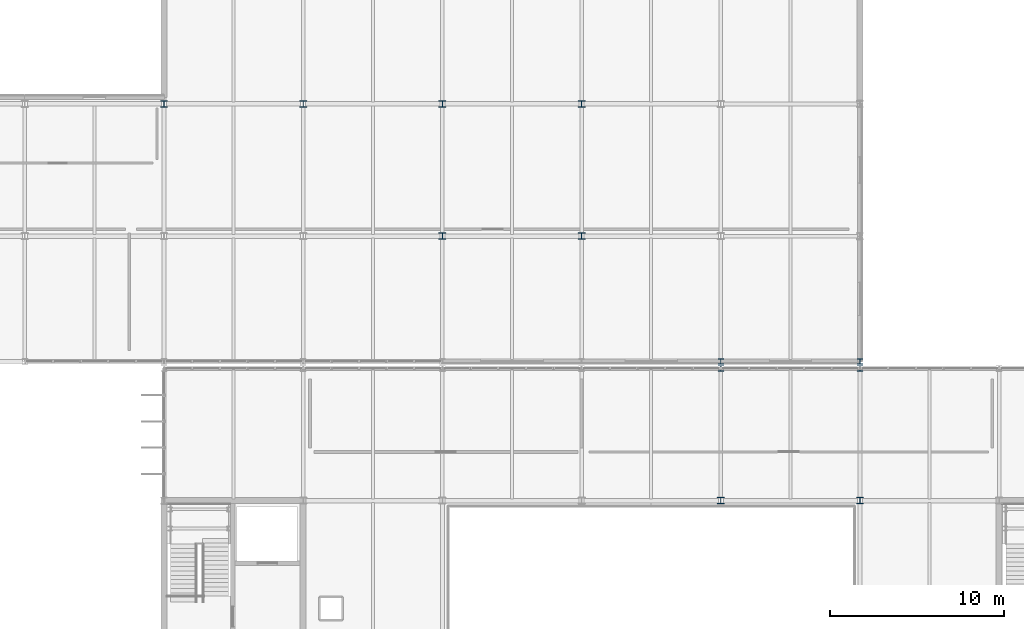
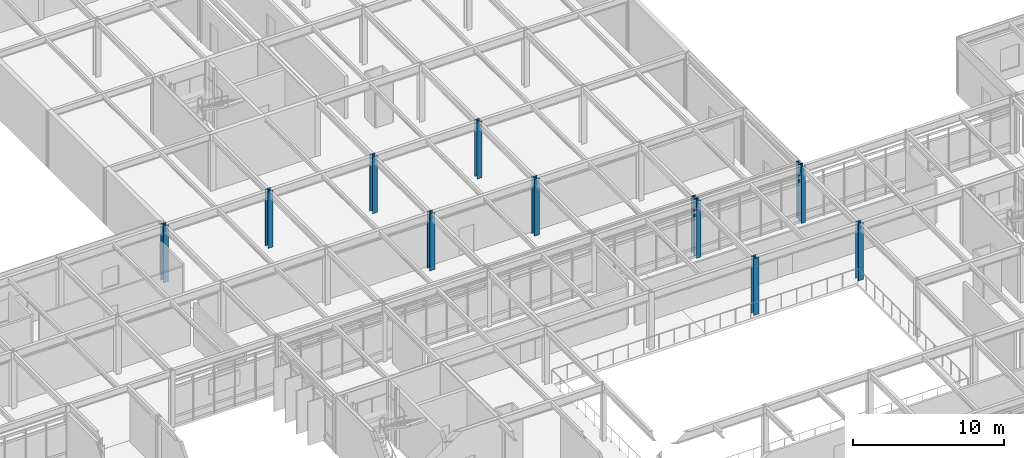
# One storey, part 12 of 104: 12 columns.
"""IFC4 building model written with IfcOpenShell, lengths in metres."""

from ifc_helpers import new_model, si_unit, direction, frame, origin, origin_2d, place, context, subcontext, project, spatial, i_section, extrude, material, material_profile, profile_set, type_object, element, save


model = new_model("IFC4")

# Units and contexts
model_context = context("Model", 3, precision=1e-05, world=origin(), true_north=direction((0.0, 1.0)))
body_context = subcontext(model_context, "Body", "Model", "MODEL_VIEW")
ifc_project = project(units=[si_unit("LENGTHUNIT", "METRE"), si_unit("AREAUNIT", "SQUARE_METRE"), si_unit("VOLUMEUNIT", "CUBIC_METRE"), si_unit("PLANEANGLEUNIT", "RADIAN"), si_unit("MASSUNIT", "GRAM", prefix="KILO")], contexts=[model_context])

# Site, building, storey
site_placement = place(None, origin())
site = spatial("IfcSite", under=ifc_project, at=site_placement, CompositionType="ELEMENT")
building_placement = place(site_placement, origin())
building = spatial("IfcBuilding", under=site, at=building_placement, Name="Zulena Civic Courthouse", CompositionType="ELEMENT")
storey_placement = place(building_placement, frame((0.0, 0.0, 10.800048828125)))
storey = spatial("IfcBuildingStorey", under=building, at=storey_placement, Name="L02", CompositionType="ELEMENT", Elevation=10.800048828125)

# Columns
ifc_material = material(Name="Steel ASTM A992 Grade 50", Category="steel")
ifc_material_profile_1 = material_profile(ifc_material, i_section(OverallWidth=0.31298828125, OverallDepth=0.3330078125, WebThickness=0.01806640625, FlangeThickness=0.0283203125, FilletRadius=0.01513671875, at=origin_2d()), Name="W12X120")
ifc_profile_set_1 = profile_set([ifc_material_profile_1], Name="Steel ASTM A992 Grade 50")
column_type_1 = type_object("IfcColumnType", Name="Col_W12X120", PredefinedType="COLUMN", material=ifc_profile_set_1)
for number, where, z_axis, x_axis, name in (
    (1, (100.0, 45.60009765625, 0.0), (0.0, 0.0, 1.0), (1.0, 0.0, 0.0), "col:V4:L02:100.0:45.6"),
    (2, (108.0, 45.60009765625, 0.0), (0.0, 0.0, 1.0), (1.0, 0.0, 0.0), "col:V4:L02:108.0:45.6"),
    (3, (100.0, 46.0, 0.0), (0.0, 0.0, 1.0), (1.0, 0.0, 0.0), "col:V5:L02:100.0:46.0"),
    (4, (108.0, 46.0, 0.0), (0.0, 0.0, 1.0), (1.0, 0.0, 0.0), "col:V5:L02:108.0:46.0"),
):
    element("IfcColumn", number, at=place(storey_placement, frame(where, z_axis=z_axis, x_axis=x_axis)), inside=storey, type_object=column_type_1, Name=name, PredefinedType="COLUMN", context=body_context, shape_type="SweptSolid", body=[
        extrude(i_section(OverallWidth=0.31298828125, OverallDepth=0.3330078125, WebThickness=0.01806640625, FlangeThickness=0.0283203125, FilletRadius=0.01513671875, at=origin_2d()), origin(), (0.0, 0.0, 1.0), 4.58984375),
    ])
ifc_material_profile_2 = material_profile(ifc_material, i_section(OverallWidth=0.39404296875, OverallDepth=0.3759765625, WebThickness=0.017333984375, FlangeThickness=0.027587890625, FilletRadius=0.01513671875, at=origin_2d()), Name="W14X145")
ifc_profile_set_2 = profile_set([ifc_material_profile_2], Name="Steel ASTM A992 Grade 50")
column_type_2 = type_object("IfcColumnType", Name="Col_W14X145", PredefinedType="COLUMN", material=ifc_profile_set_2)
for number, where, z_axis, x_axis, name in (
    (5, (100.0, 38.0, 0.0), (0.0, 0.0, 1.0), (1.0, 0.0, 0.0), "col:V4:L02:100.0:38.0"),
    (6, (108.0, 38.0, 0.0), (0.0, 0.0, 1.0), (1.0, 0.0, 0.0), "col:V4:L02:108.0:38.0"),
    (7, (68.0, 60.800048828125, 0.0), (0.0, 0.0, 1.0), (1.0, 0.0, 0.0), "col:V5:L02:68.0:60.8"),
    (8, (76.0, 60.800048828125, 0.0), (0.0, 0.0, 1.0), (1.0, 0.0, 0.0), "col:V5:L02:76.0:60.8"),
    (9, (84.0, 53.199951171875, 0.0), (0.0, 0.0, 1.0), (1.0, 0.0, 0.0), "col:V5:L02:84.0:53.2"),
    (10, (84.0, 60.800048828125, 0.0), (0.0, 0.0, 1.0), (1.0, 0.0, 0.0), "col:V5:L02:84.0:60.8"),
    (11, (92.0, 53.199951171875, 0.0), (0.0, 0.0, 1.0), (1.0, 0.0, 0.0), "col:V5:L02:92.0:53.2"),
    (12, (92.0, 60.800048828125, 0.0), (0.0, 0.0, 1.0), (1.0, 0.0, 0.0), "col:V5:L02:92.0:60.8"),
):
    element("IfcColumn", number, at=place(storey_placement, frame(where, z_axis=z_axis, x_axis=x_axis)), inside=storey, type_object=column_type_2, Name=name, PredefinedType="COLUMN", context=body_context, shape_type="SweptSolid", body=[
        extrude(i_section(OverallWidth=0.39404296875, OverallDepth=0.3759765625, WebThickness=0.017333984375, FlangeThickness=0.027587890625, FilletRadius=0.01513671875, at=origin_2d()), origin(), (0.0, 0.0, 1.0), 4.58984375),
    ])

save(model, "model.ifc")
